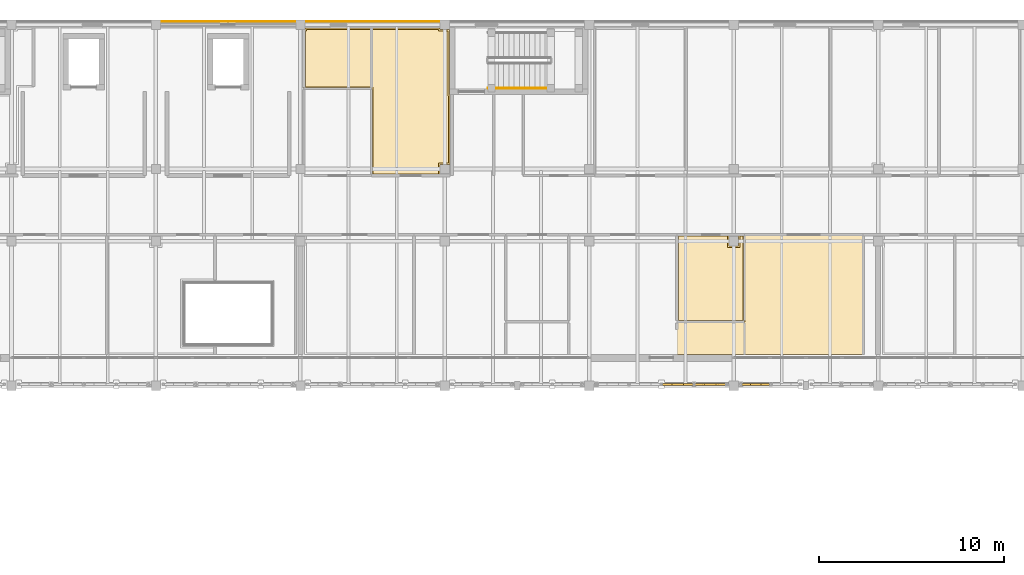
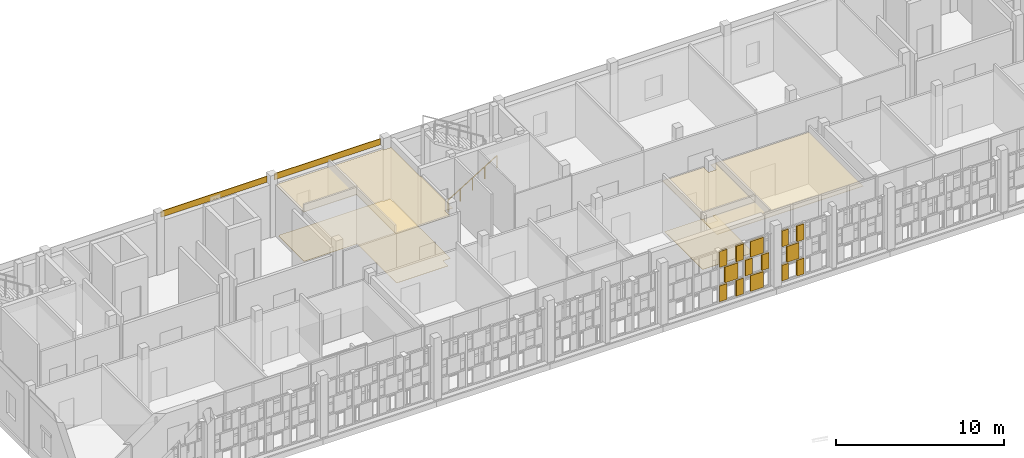
# One storey, part 86 of 89: 21 coverings, 1 railing.
"""IFC4 building model written with IfcOpenShell, lengths in metres."""

import ifcopenshell
import ifcopenshell.guid

model = None  # the IFC model being written
_history = None  # IfcOwnerHistory: only IFC2X3 demands one
_inside = {}  # id of a spatial element -> (the spatial element, [elements in it])
_under = {}  # id of a project, library or spatial element -> (it, [spatial elements below it])
_declared = {}  # id of a project -> (the project, [libraries it declares])
_typed = {}  # id of a type object -> (the type object, [elements of that type])
_made_of = {}  # id of a material, layer set ... -> (it, [elements and type objects made of it])


def new_model(schema):
    """Start an empty IFC model of exactly this schema.

    Asked for "IFC4X3", IfcOpenShell would pick the latest addendum, in which some entities
    have other attributes; the version numbers below select the first issue.
    IFC2X3 requires an IfcOwnerHistory on every rooted entity: one is made here for all.
    """
    global model, _history
    if schema == "IFC4X3":
        model = ifcopenshell.file(schema_version=(4, 3, 0, 0))
    else:
        model = ifcopenshell.file(schema=schema)
    _inside.clear()
    _under.clear()
    _declared.clear()
    _typed.clear()
    _made_of.clear()
    _history = None
    if model.schema == "IFC2X3":
        org = make("IfcOrganization", Name="unknown")
        user = make(
            "IfcPersonAndOrganization",
            ThePerson=make("IfcPerson", FamilyName="unknown"),
            TheOrganization=org,
        )
        app = make(
            "IfcApplication",
            ApplicationDeveloper=org,
            Version="unknown",
            ApplicationFullName="unknown",
            ApplicationIdentifier="unknown",
        )
        _history = make(
            "IfcOwnerHistory",
            OwningUser=user,
            OwningApplication=app,
            ChangeAction="ADDED",
            CreationDate=0,
        )
    return model


def make(cls, **values):
    """One entity of the class cls with the attributes given. An attribute that is None is left unset."""
    return model.create_entity(
        cls, **{name: value for name, value in values.items() if value is not None}
    )


def rooted(cls, **values):
    """An entity with a GlobalId (a new one), such as an element, a storey or a relation."""
    return make(cls, GlobalId=ifcopenshell.guid.new(), OwnerHistory=_history, **values)


def si_unit(unit_type, name, prefix=None):
    """IfcSIUnit, for example si_unit("LENGTHUNIT", "METRE", prefix="MILLI")."""
    return make("IfcSIUnit", UnitType=unit_type, Prefix=prefix, Name=name)


def assignment(units):
    """IfcUnitAssignment: the units of a project."""
    return None if units is None else make("IfcUnitAssignment", Units=units)


def point(xyz):
    """IfcCartesianPoint."""
    return None if xyz is None else make("IfcCartesianPoint", Coordinates=xyz)


def direction(xyz):
    """IfcDirection."""
    return None if xyz is None else make("IfcDirection", DirectionRatios=xyz)


def frame(location, z_axis=None, x_axis=None):
    """IfcAxis2Placement3D, a coordinate frame: its origin and axes. An axis left out is left unset."""
    return make(
        "IfcAxis2Placement3D",
        Location=point(location),
        Axis=direction(z_axis),
        RefDirection=direction(x_axis),
    )


def frame_2d(location, x_axis=None):
    """IfcAxis2Placement2D, a coordinate frame in the plane: its origin and x axis."""
    return make(
        "IfcAxis2Placement2D", Location=point(location), RefDirection=direction(x_axis)
    )


def origin():
    """The frame at (0, 0, 0) with its axes left unset."""
    return frame((0.0, 0.0, 0.0))


def origin_2d():
    """The frame at (0, 0) in the plane with its x axis left unset."""
    return frame_2d((0.0, 0.0))


def place(relative_to, where):
    """IfcLocalPlacement: puts the frame where relative to a parent placement (None: the world)."""
    return make(
        "IfcLocalPlacement", PlacementRelTo=relative_to, RelativePlacement=where
    )


def context(
    kind, dimensions, precision=None, world=None, true_north=None, identifier=None
):
    """IfcGeometricRepresentationContext, for example the 3D "Model" context."""
    return make(
        "IfcGeometricRepresentationContext",
        ContextIdentifier=identifier,
        ContextType=kind,
        CoordinateSpaceDimension=dimensions,
        Precision=precision,
        WorldCoordinateSystem=world,
        TrueNorth=true_north,
    )


def subcontext(parent, identifier, kind, view, scale=None):
    """IfcGeometricRepresentationSubContext, for example "Body" below "Model"."""
    return make(
        "IfcGeometricRepresentationSubContext",
        ContextIdentifier=identifier,
        ContextType=kind,
        ParentContext=parent,
        TargetScale=scale,
        TargetView=view,
    )


def project(units=None, contexts=None):
    """IfcProject with its units and contexts."""
    return rooted(
        "IfcProject",
        Name="project",
        RepresentationContexts=contexts,
        UnitsInContext=assignment(units),
    )


def spatial(cls, under=None, at=None, **own):
    """A site, building, storey or space (cls), placed at a placement, below another one or the project."""
    s = rooted(cls, ObjectPlacement=at, **own)
    if under is not None:
        _under.setdefault(under.id(), (under, []))[1].append(s)
    return s


def polyline(points):
    """IfcPolyline through the points."""
    return make("IfcPolyline", Points=[point(p) for p in points])


def profile(cls, at=None, kind="AREA", **sizes):
    """A parametric profile (cls). Its sizes go by their IFC names, for example OverallWidth=200.0."""
    return make(cls, ProfileType=kind, Position=at, **sizes)


def rectangle(**sizes):
    """IfcRectangleProfileDef."""
    return profile("IfcRectangleProfileDef", **sizes)


def circle(**sizes):
    """IfcCircleProfileDef."""
    return profile("IfcCircleProfileDef", **sizes)


def outline(outer, holes=None, kind="AREA"):
    """IfcArbitraryClosedProfileDef: a profile drawn as a closed curve; with holes, ...WithVoids."""
    if holes is None:
        return make("IfcArbitraryClosedProfileDef", ProfileType=kind, OuterCurve=outer)
    return make(
        "IfcArbitraryProfileDefWithVoids",
        ProfileType=kind,
        OuterCurve=outer,
        InnerCurves=holes,
    )


def extrude(swept, where, along, depth):
    """IfcExtrudedAreaSolid: the profile swept, set in the frame where, extruded along a direction by depth."""
    return make(
        "IfcExtrudedAreaSolid",
        SweptArea=swept,
        Position=where,
        ExtrudedDirection=direction(along),
        Depth=depth,
    )


def shape(context_of_items, identifier, shape_type, items):
    """IfcShapeRepresentation: the items that make up one representation, for example the "Body"."""
    return make(
        "IfcShapeRepresentation",
        ContextOfItems=context_of_items,
        RepresentationIdentifier=identifier,
        RepresentationType=shape_type,
        Items=items,
    )


def material(Name=None, Category=None):
    """IfcMaterial."""
    return make("IfcMaterial", Name=Name, Category=Category)


def layer(
    of_material, thickness, ventilated=None, Name=None, Category=None, Priority=None
):
    """IfcMaterialLayer: one layer of a wall or slab, of a material (None: an air gap)."""
    return make(
        "IfcMaterialLayer",
        Material=of_material,
        LayerThickness=thickness,
        IsVentilated=ventilated,
        Name=Name,
        Category=Category,
        Priority=Priority,
    )


def layer_set(layers, Name=None):
    """IfcMaterialLayerSet."""
    return make("IfcMaterialLayerSet", MaterialLayers=layers, LayerSetName=Name)


def made_of(thing, what):
    """Note that an element or type object is made of a material, layer set ...; save() writes the relation."""
    if what is not None:
        _made_of.setdefault(what.id(), (what, []))[1].append(thing)
    return thing


def type_object(cls, material=None, **own):
    """A type object (cls), such as IfcWallType, which elements share."""
    return made_of(rooted(cls, **own), material)


def element(
    cls,
    number,
    at=None,
    inside=None,
    cuts=None,
    type_object=None,
    material=None,
    context=None,
    identifier="Body",
    shape_type=None,
    held_by="IfcProductDefinitionShape",
    body=None,
    shapes=None,
    **own,
):
    """One element of the class cls, such as IfcWall. Its Tag is "e" and its number.

    at: its placement. inside: the storey or other place that contains it. cuts: it is an
    opening in that element (IfcRelVoidsElement). A single representation is given by context,
    identifier, shape_type and body (its items); several are given by shapes. held_by: the class
    of the entity that holds the representations. save() writes the other relations.
    """
    e = rooted(cls, Tag="e%d" % number, ObjectPlacement=at, **own)
    if body is not None:
        shapes = [shape(context, identifier, shape_type, body)]
    if shapes is not None:
        e.Representation = make(held_by, Representations=shapes)
    if inside is not None:
        _inside.setdefault(inside.id(), (inside, []))[1].append(e)
    if cuts is not None:
        rooted(
            "IfcRelVoidsElement", RelatingBuildingElement=cuts, RelatedOpeningElement=e
        )
    if type_object is not None:
        _typed.setdefault(type_object.id(), (type_object, []))[1].append(e)
    return made_of(e, material)


def aggregate(whole, parts):
    """IfcRelAggregates: a whole, such as a stair, and the parts it consists of."""
    return rooted("IfcRelAggregates", RelatingObject=whole, RelatedObjects=parts)


def save(model, path):
    """Write the relations noted so far, then the file.

    IfcRelAggregates (storeys below a building ...), IfcRelContainedInSpatialStructure (elements
    in a storey), IfcRelDefinesByType, IfcRelAssociatesMaterial and IfcRelDeclares: one each for
    every whole, place, type object, material and project.
    """
    for whole, parts in _under.values():
        aggregate(whole, parts)
    for where, things in _inside.values():
        rooted(
            "IfcRelContainedInSpatialStructure",
            RelatedElements=things,
            RelatingStructure=where,
        )
    for kind, things in _typed.values():
        rooted("IfcRelDefinesByType", RelatedObjects=things, RelatingType=kind)
    for what, things in _made_of.values():
        rooted("IfcRelAssociatesMaterial", RelatedObjects=things, RelatingMaterial=what)
    for by, libraries in _declared.values():
        rooted("IfcRelDeclares", RelatingContext=by, RelatedDefinitions=libraries)
    model.write(path)


model = new_model("IFC4")

# Units and contexts
model_context = context("Model", 3, precision=1e-05, world=origin(), true_north=direction((0.0, 1.0)))
body_context = subcontext(model_context, "Body", "Model", "MODEL_VIEW")
ifc_project = project(units=[si_unit("LENGTHUNIT", "METRE"), si_unit("AREAUNIT", "SQUARE_METRE"), si_unit("VOLUMEUNIT", "CUBIC_METRE"), si_unit("PLANEANGLEUNIT", "RADIAN"), si_unit("MASSUNIT", "GRAM", prefix="KILO")], contexts=[model_context])

# Site, building, storey
site_placement = place(None, origin())
site = spatial("IfcSite", under=ifc_project, at=site_placement, CompositionType="ELEMENT")
building_placement = place(site_placement, origin())
building = spatial("IfcBuilding", under=site, at=building_placement, Name="Celorna Specialist Clinic", CompositionType="ELEMENT")
storey_placement = place(building_placement, frame((0.0, 0.0, 14.10009765625)))
storey = spatial("IfcBuildingStorey", under=building, at=storey_placement, Name="L03", CompositionType="ELEMENT", Elevation=14.10009765625)

# Coverings
ifc_material_1 = material(Name="Hygienic acoustic mineral-fibre ceiling")
ifc_layer_1 = layer(ifc_material_1, 0.030029296875, Name="Hygienic acoustic mineral-fibre ceiling")
ifc_layer_set_1 = layer_set([ifc_layer_1], Name="Hygienic acoustic mineral-fibre ceiling")
covering_type_1 = type_object("IfcCoveringType", Name="CE-01", PredefinedType="CEILING", material=ifc_layer_set_1)
covering_1_placement = place(storey_placement, frame((0.0, 0.0, 3.669921875)))
element("IfcCovering", 1, at=covering_1_placement, inside=storey, type_object=covering_type_1, Name="Acoustic ceiling L03-020", PredefinedType="CEILING", context=body_context, shape_type="SweptSolid", body=[
    extrude(outline(polyline([(93.35498046875, 104.6650390625), (93.35498046875, 104.554931640625), (93.344970703125, 104.554931640625), (93.344970703125, 104.044921875), (93.85498046875, 104.044921875), (93.85498046875, 104.554931640625), (93.844970703125, 104.554931640625), (93.844970703125, 104.6650390625), (94.205078125, 104.6650390625), (94.205078125, 99.93505859375), (90.52490234375, 99.93505859375), (90.52490234375, 104.6650390625), (93.35498046875, 104.6650390625)])), origin(), (0.0, 0.0, 1.0), 0.030029296875),
])
covering_2_placement = place(storey_placement, frame((0.0, 0.0, 3.68994140625)))
element("IfcCovering", 2, at=covering_2_placement, inside=storey, type_object=covering_type_1, Name="Acoustic ceiling L03-021", PredefinedType="CEILING", context=body_context, shape_type="SweptSolid", body=[
    extrude(outline(polyline([(94.175048828125, 104.6650390625), (100.60498046875, 104.6650390625), (100.60498046875, 98.175048828125), (90.52490234375, 98.175048828125), (90.52490234375, 99.965087890625), (94.175048828125, 99.965087890625), (94.175048828125, 104.6650390625)])), origin(), (0.0, 0.0, 1.0), 0.030029296875),
])
covering_3_placement = place(storey_placement, frame((0.0, 0.0, 3.669921875)))
element("IfcCovering", 3, at=covering_3_placement, inside=storey, type_object=covering_type_1, Name="Acoustic ceiling L03-030", PredefinedType="CEILING", context=body_context, shape_type="SweptSolid", body=[
    extrude(outline(polyline([(77.7451171875, 115.824951171875), (77.7451171875, 115.7451171875), (78.2548828125, 115.7451171875), (78.2548828125, 115.7548828125), (78.2548828125, 115.7548828125), (78.2548828125, 112.235107421875), (78.284912109375, 112.235107421875), (78.284912109375, 108.445068359375), (78.2548828125, 108.445068359375), (78.2548828125, 108.455078125), (77.7451171875, 108.455078125), (77.7451171875, 107.945068359375), (77.7548828125, 107.945068359375), (77.7548828125, 107.8349609375), (74.02490234375, 107.8349609375), (74.02490234375, 112.534912109375), (70.375, 112.534912109375), (70.375, 115.7451171875), (70.455078125, 115.7451171875), (70.455078125, 115.824951171875), (77.7451171875, 115.824951171875)])), origin(), (0.0, 0.0, 1.0), 0.030029296875),
])
ifc_material_2 = material(Name="Pero Pinheiro Lioz limestone rainscreen cladding", Category="masonry")
ifc_layer_2 = layer(ifc_material_2, 0.044921875, Name="Pero Pinheiro Lioz limestone rainscreen cladding")
ifc_layer_set_2 = layer_set([ifc_layer_2], Name="Pero Pinheiro Lioz limestone rainscreen cladding")
covering_type_2 = type_object("IfcCoveringType", Name="CL-01", PredefinedType="CLADDING", material=ifc_layer_set_2)
for number, where, z_axis, x_axis, name in (
    (4, (66.300048828125, 116.16748046875, 3.81982421875), (0.0, 0.0, 1.0), (1.0, 0.0, 0.0), "Lioz spandrel cladding #259"),
    (5, (74.10009765625, 116.16748046875, 3.81982421875), (0.0, 0.0, 1.0), (1.0, 0.0, 0.0), "Lioz spandrel cladding #260"),
):
    element("IfcCovering", number, at=place(storey_placement, frame(where, z_axis=z_axis, x_axis=x_axis)), inside=storey, type_object=covering_type_2, Name=name, PredefinedType="CLADDING", context=body_context, shape_type="SweptSolid", body=[
        extrude(rectangle(XDim=7.300048828125, YDim=0.044921875, at=origin_2d()), origin(), (0.0, 0.0, 1.0), 0.43994140625),
    ])
ifc_material_3 = material(Name="Perforated terracotta brick weave cladding", Category="masonry")
ifc_layer_3 = layer(ifc_material_3, 0.114990234375, Name="Perforated terracotta brick weave cladding")
ifc_layer_set_3 = layer_set([ifc_layer_3], Name="Perforated terracotta brick weave cladding")
covering_type_3 = type_object("IfcCoveringType", Name="CL-02", PredefinedType="CLADDING", material=ifc_layer_set_3)
for number, where, z_axis, x_axis, name in (
    (6, (90.00927734375, 96.570068359375, 0.10009765625), (0.0, 0.0, 1.0), (1.0, 0.0, 0.0), "Woven perforated terracotta brick course #1157"),
    (7, (91.1455078125, 96.570068359375, 0.10009765625), (0.0, 0.0, 1.0), (1.0, 0.0, 0.0), "Woven perforated terracotta brick course #1158"),
):
    element("IfcCovering", number, at=place(storey_placement, frame(where, z_axis=z_axis, x_axis=x_axis)), inside=storey, type_object=covering_type_3, Name=name, PredefinedType="CLADDING", context=body_context, shape_type="SweptSolid", body=[
        extrude(rectangle(XDim=0.498779296875, YDim=0.114990234375, at=origin_2d()), origin(), (0.0, 0.0, 1.0), 1.146728515625),
    ])
covering_4_placement = place(storey_placement, frame((90.577392578125, 96.570068359375, 1.3466796875), z_axis=(0.0, 0.0, 1.0), x_axis=(1.0, 0.0, 0.0)))
element("IfcCovering", 8, at=covering_4_placement, inside=storey, type_object=covering_type_3, Name="Woven perforated terracotta brick course #1159", PredefinedType="CLADDING", context=body_context, shape_type="SweptSolid", body=[
    extrude(rectangle(XDim=0.8828125, YDim=0.114990234375, at=origin_2d()), origin(), (0.0, 0.0, 1.0), 1.146484375),
])
for number, where, z_axis, x_axis, name in (
    (9, (90.00927734375, 96.570068359375, 2.59326171875), (0.0, 0.0, 1.0), (1.0, 0.0, 0.0), "Woven perforated terracotta brick course #1160"),
    (10, (91.1455078125, 96.570068359375, 2.59326171875), (0.0, 0.0, 1.0), (1.0, 0.0, 0.0), "Woven perforated terracotta brick course #1161"),
):
    element("IfcCovering", number, at=place(storey_placement, frame(where, z_axis=z_axis, x_axis=x_axis)), inside=storey, type_object=covering_type_3, Name=name, PredefinedType="CLADDING", context=body_context, shape_type="SweptSolid", body=[
        extrude(rectangle(XDim=0.498779296875, YDim=0.114990234375, at=origin_2d()), origin(), (0.0, 0.0, 1.0), 1.146728515625),
    ])
covering_5_placement = place(storey_placement, frame((92.33251953125, 96.570068359375, 0.10009765625), z_axis=(0.0, 0.0, 1.0), x_axis=(1.0, 0.0, 0.0)))
element("IfcCovering", 11, at=covering_5_placement, inside=storey, type_object=covering_type_3, Name="Woven perforated terracotta brick course #1162", PredefinedType="CLADDING", context=body_context, shape_type="SweptSolid", body=[
    extrude(rectangle(XDim=0.8828125, YDim=0.114990234375, at=origin_2d()), origin(), (0.0, 0.0, 1.0), 1.146728515625),
])
for number, where, z_axis, x_axis, name in (
    (12, (91.764404296875, 96.570068359375, 1.3466796875), (0.0, 0.0, 1.0), (1.0, 0.0, 0.0), "Woven perforated terracotta brick course #1163"),
    (13, (92.900634765625, 96.570068359375, 1.3466796875), (0.0, 0.0, 1.0), (1.0, 0.0, 0.0), "Woven perforated terracotta brick course #1164"),
):
    element("IfcCovering", number, at=place(storey_placement, frame(where, z_axis=z_axis, x_axis=x_axis)), inside=storey, type_object=covering_type_3, Name=name, PredefinedType="CLADDING", context=body_context, shape_type="SweptSolid", body=[
        extrude(rectangle(XDim=0.498779296875, YDim=0.114990234375, at=origin_2d()), origin(), (0.0, 0.0, 1.0), 1.146484375),
    ])
covering_6_placement = place(storey_placement, frame((92.33251953125, 96.570068359375, 2.59326171875), z_axis=(0.0, 0.0, 1.0), x_axis=(1.0, 0.0, 0.0)))
element("IfcCovering", 14, at=covering_6_placement, inside=storey, type_object=covering_type_3, Name="Woven perforated terracotta brick course #1165", PredefinedType="CLADDING", context=body_context, shape_type="SweptSolid", body=[
    extrude(rectangle(XDim=0.8828125, YDim=0.114990234375, at=origin_2d()), origin(), (0.0, 0.0, 1.0), 1.146728515625),
])
for number, where, z_axis, x_axis, name in (
    (15, (94.277099609375, 96.570068359375, 0.10009765625), (0.0, 0.0, 1.0), (1.0, 0.0, 0.0), "Woven perforated terracotta brick course #1166"),
    (16, (95.312744140625, 96.570068359375, 0.10009765625), (0.0, 0.0, 1.0), (1.0, 0.0, 0.0), "Woven perforated terracotta brick course #1167"),
):
    element("IfcCovering", number, at=place(storey_placement, frame(where, z_axis=z_axis, x_axis=x_axis)), inside=storey, type_object=covering_type_3, Name=name, PredefinedType="CLADDING", context=body_context, shape_type="SweptSolid", body=[
        extrude(rectangle(XDim=0.454345703125, YDim=0.114990234375, at=origin_2d()), origin(), (0.0, 0.0, 1.0), 1.146728515625),
    ])
covering_7_placement = place(storey_placement, frame((94.794921875, 96.570068359375, 1.3466796875), z_axis=(0.0, 0.0, 1.0), x_axis=(1.0, 0.0, 0.0)))
element("IfcCovering", 17, at=covering_7_placement, inside=storey, type_object=covering_type_3, Name="Woven perforated terracotta brick course #1168", PredefinedType="CLADDING", context=body_context, shape_type="SweptSolid", body=[
    extrude(rectangle(XDim=0.8046875, YDim=0.114990234375, at=origin_2d()), origin(), (0.0, 0.0, 1.0), 1.146484375),
])
for number, where, z_axis, x_axis, name in (
    (18, (94.277099609375, 96.570068359375, 2.59326171875), (0.0, 0.0, 1.0), (1.0, 0.0, 0.0), "Woven perforated terracotta brick course #1169"),
    (19, (95.312744140625, 96.570068359375, 2.59326171875), (0.0, 0.0, 1.0), (1.0, 0.0, 0.0), "Woven perforated terracotta brick course #1170"),
):
    element("IfcCovering", number, at=place(storey_placement, frame(where, z_axis=z_axis, x_axis=x_axis)), inside=storey, type_object=covering_type_3, Name=name, PredefinedType="CLADDING", context=body_context, shape_type="SweptSolid", body=[
        extrude(rectangle(XDim=0.454345703125, YDim=0.114990234375, at=origin_2d()), origin(), (0.0, 0.0, 1.0), 1.146728515625),
    ])
ifc_material_4 = material(Name="Seamless antimicrobial clinical vinyl and Lioz terrazzo flooring")
ifc_layer_4 = layer(ifc_material_4, 0.02001953125, Name="Seamless antimicrobial clinical vinyl and Lioz terrazzo flooring")
ifc_layer_set_4 = layer_set([ifc_layer_4], Name="Seamless antimicrobial clinical vinyl and Lioz terrazzo flooring")
covering_type_4 = type_object("IfcCoveringType", Name="FL-01", PredefinedType="FLOORING", material=ifc_layer_set_4)
covering_8_placement = place(storey_placement, origin())
element("IfcCovering", 20, at=covering_8_placement, inside=storey, type_object=covering_type_4, Name="Antimicrobial clinical flooring L03-020", PredefinedType="FLOORING", context=body_context, shape_type="SweptSolid", body=[
    extrude(outline(polyline([(90.614990234375, 104.574951171875), (93.264892578125, 104.574951171875), (93.264892578125, 103.965087890625), (93.93505859375, 103.965087890625), (93.93505859375, 104.574951171875), (94.114990234375, 104.574951171875), (94.114990234375, 100.02490234375), (90.614990234375, 100.02490234375), (90.614990234375, 104.574951171875)])), origin(), (0.0, 0.0, 1.0), 0.02001953125),
])
covering_9_placement = place(storey_placement, origin())
element("IfcCovering", 21, at=covering_9_placement, inside=storey, type_object=covering_type_4, Name="Antimicrobial clinical flooring L03-030", PredefinedType="FLOORING", context=body_context, shape_type="SweptSolid", body=[
    extrude(outline(polyline([(70.465087890625, 115.6650390625), (70.534912109375, 115.6650390625), (70.534912109375, 115.735107421875), (77.6650390625, 115.735107421875), (77.6650390625, 115.6650390625), (78.1650390625, 115.6650390625), (78.1650390625, 112.14501953125), (78.195068359375, 112.14501953125), (78.195068359375, 108.534912109375), (77.6650390625, 108.534912109375), (77.6650390625, 107.925048828125), (74.114990234375, 107.925048828125), (74.114990234375, 112.625), (70.465087890625, 112.625), (70.465087890625, 115.6650390625)])), origin(), (0.0, 0.0, 1.0), 0.02001953125),
])

# Railing
ifc_material_5 = material(Name="Brushed stainless steel handrail", Category="steel")
railing_type = type_object("IfcRailingType", Name="HR-01", PredefinedType="HANDRAIL", material=ifc_material_5)
railing_placement = place(storey_placement, frame((80.340087890625, 112.570068359375, 0.173095703125)))
element("IfcRailing", 22, at=railing_placement, inside=storey, type_object=railing_type, Name="L03 ST-02 stair handrail 1", PredefinedType="HANDRAIL", context=body_context, shape_type="SweptSolid", body=[
    extrude(circle(Radius=0.02392578125, at=origin_2d()), frame((0.0, 0.0, 0.8759765625), z_axis=(0.850606129759, 0.0, 0.525803396734), x_axis=(0.0, 1.0, 0.0)), (0.0, 0.0, 1.0), 3.949951171875),
    extrude(circle(Radius=0.02099609375, at=origin_2d()), origin(), (0.0, 0.0, 1.0), 0.851806640625),
    extrude(circle(Radius=0.02099609375, at=origin_2d()), frame((0.83984375, 0.0, 0.519287109375)), (0.0, 0.0, 1.0), 0.851806640625),
    extrude(circle(Radius=0.02099609375, at=origin_2d()), frame((1.679931640625, 0.0, 1.03857421875)), (0.0, 0.0, 1.0), 0.851806640625),
    extrude(circle(Radius=0.02099609375, at=origin_2d()), frame((2.52001953125, 0.0, 1.5576171875)), (0.0, 0.0, 1.0), 0.851806640625),
    extrude(circle(Radius=0.02099609375, at=origin_2d()), frame((3.35986328125, 0.0, 2.076904296875)), (0.0, 0.0, 1.0), 0.851806640625),
])

save(model, "model.ifc")
